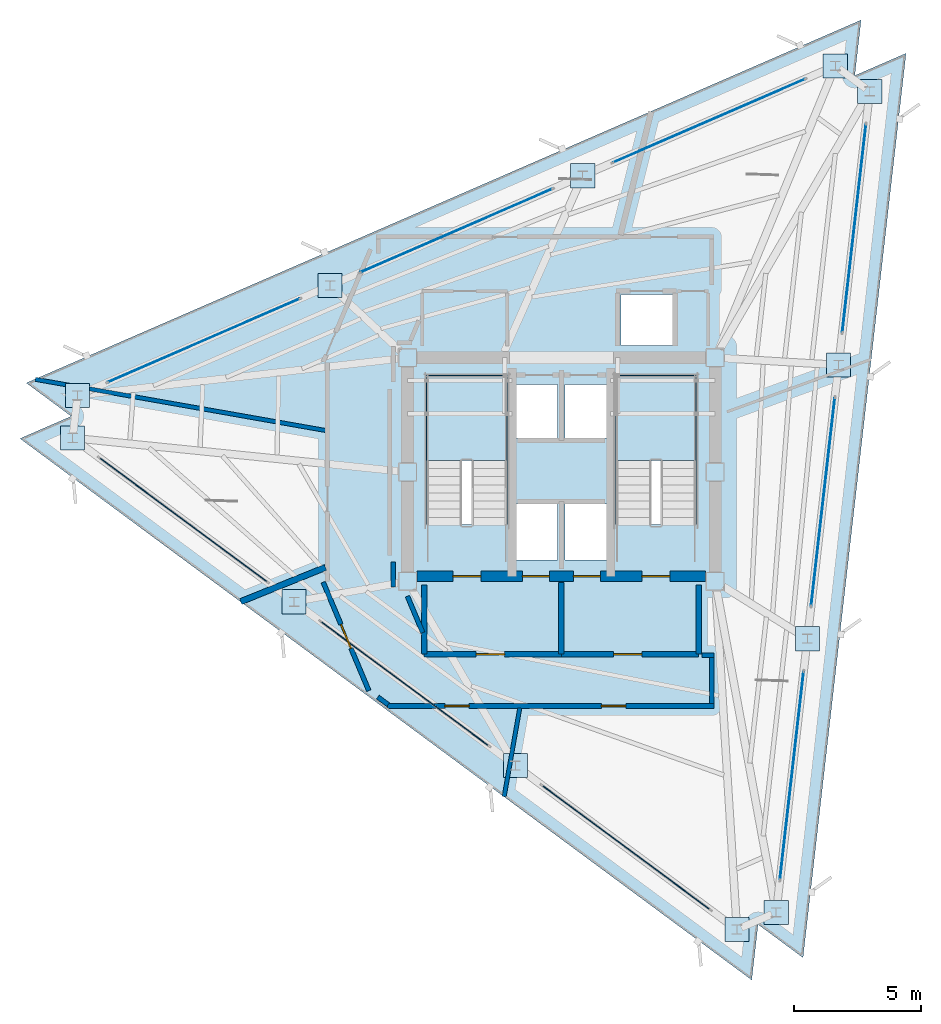
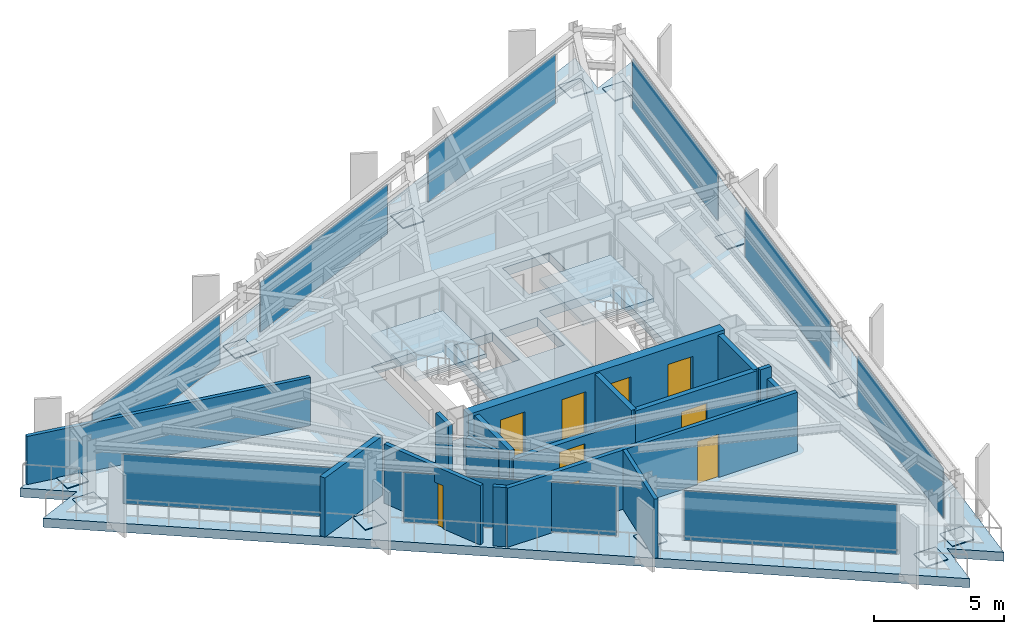
# One storey, part 5 of 10: 21 plates, 16 walls, 9 doors, 3 slabs, 9 openings, 11 elements without a shape of their own.
"""IFC4 building model written with IfcOpenShell, lengths in metres."""

import ifcopenshell
import ifcopenshell.guid

model = None  # the IFC model being written
_history = None  # IfcOwnerHistory: only IFC2X3 demands one
_inside = {}  # id of a spatial element -> (the spatial element, [elements in it])
_under = {}  # id of a project, library or spatial element -> (it, [spatial elements below it])
_declared = {}  # id of a project -> (the project, [libraries it declares])
_typed = {}  # id of a type object -> (the type object, [elements of that type])
_made_of = {}  # id of a material, layer set ... -> (it, [elements and type objects made of it])


def new_model(schema):
    """Start an empty IFC model of exactly this schema.

    Asked for "IFC4X3", IfcOpenShell would pick the latest addendum, in which some entities
    have other attributes; the version numbers below select the first issue.
    IFC2X3 requires an IfcOwnerHistory on every rooted entity: one is made here for all.
    """
    global model, _history
    if schema == "IFC4X3":
        model = ifcopenshell.file(schema_version=(4, 3, 0, 0))
    else:
        model = ifcopenshell.file(schema=schema)
    _inside.clear()
    _under.clear()
    _declared.clear()
    _typed.clear()
    _made_of.clear()
    _history = None
    if model.schema == "IFC2X3":
        org = make("IfcOrganization", Name="unknown")
        user = make(
            "IfcPersonAndOrganization",
            ThePerson=make("IfcPerson", FamilyName="unknown"),
            TheOrganization=org,
        )
        app = make(
            "IfcApplication",
            ApplicationDeveloper=org,
            Version="unknown",
            ApplicationFullName="unknown",
            ApplicationIdentifier="unknown",
        )
        _history = make(
            "IfcOwnerHistory",
            OwningUser=user,
            OwningApplication=app,
            ChangeAction="ADDED",
            CreationDate=0,
        )
    return model


def make(cls, **values):
    """One entity of the class cls with the attributes given. An attribute that is None is left unset."""
    return model.create_entity(
        cls, **{name: value for name, value in values.items() if value is not None}
    )


def rooted(cls, **values):
    """An entity with a GlobalId (a new one), such as an element, a storey or a relation."""
    return make(cls, GlobalId=ifcopenshell.guid.new(), OwnerHistory=_history, **values)


def si_unit(unit_type, name, prefix=None):
    """IfcSIUnit, for example si_unit("LENGTHUNIT", "METRE", prefix="MILLI")."""
    return make("IfcSIUnit", UnitType=unit_type, Prefix=prefix, Name=name)


def assignment(units):
    """IfcUnitAssignment: the units of a project."""
    return None if units is None else make("IfcUnitAssignment", Units=units)


def point(xyz):
    """IfcCartesianPoint."""
    return None if xyz is None else make("IfcCartesianPoint", Coordinates=xyz)


def direction(xyz):
    """IfcDirection."""
    return None if xyz is None else make("IfcDirection", DirectionRatios=xyz)


def frame(location, z_axis=None, x_axis=None):
    """IfcAxis2Placement3D, a coordinate frame: its origin and axes. An axis left out is left unset."""
    return make(
        "IfcAxis2Placement3D",
        Location=point(location),
        Axis=direction(z_axis),
        RefDirection=direction(x_axis),
    )


def frame_2d(location, x_axis=None):
    """IfcAxis2Placement2D, a coordinate frame in the plane: its origin and x axis."""
    return make(
        "IfcAxis2Placement2D", Location=point(location), RefDirection=direction(x_axis)
    )


def origin():
    """The frame at (0, 0, 0) with its axes left unset."""
    return frame((0.0, 0.0, 0.0))


def origin_2d():
    """The frame at (0, 0) in the plane with its x axis left unset."""
    return frame_2d((0.0, 0.0))


def place(relative_to, where):
    """IfcLocalPlacement: puts the frame where relative to a parent placement (None: the world)."""
    return make(
        "IfcLocalPlacement", PlacementRelTo=relative_to, RelativePlacement=where
    )


def context(
    kind, dimensions, precision=None, world=None, true_north=None, identifier=None
):
    """IfcGeometricRepresentationContext, for example the 3D "Model" context."""
    return make(
        "IfcGeometricRepresentationContext",
        ContextIdentifier=identifier,
        ContextType=kind,
        CoordinateSpaceDimension=dimensions,
        Precision=precision,
        WorldCoordinateSystem=world,
        TrueNorth=true_north,
    )


def subcontext(parent, identifier, kind, view, scale=None):
    """IfcGeometricRepresentationSubContext, for example "Body" below "Model"."""
    return make(
        "IfcGeometricRepresentationSubContext",
        ContextIdentifier=identifier,
        ContextType=kind,
        ParentContext=parent,
        TargetScale=scale,
        TargetView=view,
    )


def project(units=None, contexts=None):
    """IfcProject with its units and contexts."""
    return rooted(
        "IfcProject",
        Name="project",
        RepresentationContexts=contexts,
        UnitsInContext=assignment(units),
    )


def spatial(cls, under=None, at=None, **own):
    """A site, building, storey or space (cls), placed at a placement, below another one or the project."""
    s = rooted(cls, ObjectPlacement=at, **own)
    if under is not None:
        _under.setdefault(under.id(), (under, []))[1].append(s)
    return s


def polyline(points):
    """IfcPolyline through the points."""
    return make("IfcPolyline", Points=[point(p) for p in points])


def profile(cls, at=None, kind="AREA", **sizes):
    """A parametric profile (cls). Its sizes go by their IFC names, for example OverallWidth=200.0."""
    return make(cls, ProfileType=kind, Position=at, **sizes)


def rectangle(**sizes):
    """IfcRectangleProfileDef."""
    return profile("IfcRectangleProfileDef", **sizes)


def outline(outer, holes=None, kind="AREA"):
    """IfcArbitraryClosedProfileDef: a profile drawn as a closed curve; with holes, ...WithVoids."""
    if holes is None:
        return make("IfcArbitraryClosedProfileDef", ProfileType=kind, OuterCurve=outer)
    return make(
        "IfcArbitraryProfileDefWithVoids",
        ProfileType=kind,
        OuterCurve=outer,
        InnerCurves=holes,
    )


def extrude(swept, where, along, depth):
    """IfcExtrudedAreaSolid: the profile swept, set in the frame where, extruded along a direction by depth."""
    return make(
        "IfcExtrudedAreaSolid",
        SweptArea=swept,
        Position=where,
        ExtrudedDirection=direction(along),
        Depth=depth,
    )


def shape(context_of_items, identifier, shape_type, items):
    """IfcShapeRepresentation: the items that make up one representation, for example the "Body"."""
    return make(
        "IfcShapeRepresentation",
        ContextOfItems=context_of_items,
        RepresentationIdentifier=identifier,
        RepresentationType=shape_type,
        Items=items,
    )


def material(Name=None, Category=None):
    """IfcMaterial."""
    return make("IfcMaterial", Name=Name, Category=Category)


def layer(
    of_material, thickness, ventilated=None, Name=None, Category=None, Priority=None
):
    """IfcMaterialLayer: one layer of a wall or slab, of a material (None: an air gap)."""
    return make(
        "IfcMaterialLayer",
        Material=of_material,
        LayerThickness=thickness,
        IsVentilated=ventilated,
        Name=Name,
        Category=Category,
        Priority=Priority,
    )


def layer_set(layers, Name=None):
    """IfcMaterialLayerSet."""
    return make("IfcMaterialLayerSet", MaterialLayers=layers, LayerSetName=Name)


def made_of(thing, what):
    """Note that an element or type object is made of a material, layer set ...; save() writes the relation."""
    if what is not None:
        _made_of.setdefault(what.id(), (what, []))[1].append(thing)
    return thing


def type_object(cls, material=None, **own):
    """A type object (cls), such as IfcWallType, which elements share."""
    return made_of(rooted(cls, **own), material)


def element(
    cls,
    number,
    at=None,
    inside=None,
    cuts=None,
    type_object=None,
    material=None,
    context=None,
    identifier="Body",
    shape_type=None,
    held_by="IfcProductDefinitionShape",
    body=None,
    shapes=None,
    **own,
):
    """One element of the class cls, such as IfcWall. Its Tag is "e" and its number.

    at: its placement. inside: the storey or other place that contains it. cuts: it is an
    opening in that element (IfcRelVoidsElement). A single representation is given by context,
    identifier, shape_type and body (its items); several are given by shapes. held_by: the class
    of the entity that holds the representations. save() writes the other relations.
    """
    e = rooted(cls, Tag="e%d" % number, ObjectPlacement=at, **own)
    if body is not None:
        shapes = [shape(context, identifier, shape_type, body)]
    if shapes is not None:
        e.Representation = make(held_by, Representations=shapes)
    if inside is not None:
        _inside.setdefault(inside.id(), (inside, []))[1].append(e)
    if cuts is not None:
        rooted(
            "IfcRelVoidsElement", RelatingBuildingElement=cuts, RelatedOpeningElement=e
        )
    if type_object is not None:
        _typed.setdefault(type_object.id(), (type_object, []))[1].append(e)
    return made_of(e, material)


def fill(opening, filler):
    """IfcRelFillsElement: the door or window that sits in an opening."""
    return rooted(
        "IfcRelFillsElement",
        RelatingOpeningElement=opening,
        RelatedBuildingElement=filler,
    )


def aggregate(whole, parts):
    """IfcRelAggregates: a whole, such as a stair, and the parts it consists of."""
    return rooted("IfcRelAggregates", RelatingObject=whole, RelatedObjects=parts)


def save(model, path):
    """Write the relations noted so far, then the file.

    IfcRelAggregates (storeys below a building ...), IfcRelContainedInSpatialStructure (elements
    in a storey), IfcRelDefinesByType, IfcRelAssociatesMaterial and IfcRelDeclares: one each for
    every whole, place, type object, material and project.
    """
    for whole, parts in _under.values():
        aggregate(whole, parts)
    for where, things in _inside.values():
        rooted(
            "IfcRelContainedInSpatialStructure",
            RelatedElements=things,
            RelatingStructure=where,
        )
    for kind, things in _typed.values():
        rooted("IfcRelDefinesByType", RelatedObjects=things, RelatingType=kind)
    for what, things in _made_of.values():
        rooted("IfcRelAssociatesMaterial", RelatedObjects=things, RelatingMaterial=what)
    for by, libraries in _declared.values():
        rooted("IfcRelDeclares", RelatingContext=by, RelatedDefinitions=libraries)
    model.write(path)


model = new_model("IFC4")

# Units and contexts
model_context = context("Model", 3, precision=1e-05, world=origin(), true_north=direction((0.0, 1.0)))
body_context = subcontext(model_context, "Body", "Model", "MODEL_VIEW")
ifc_project = project(units=[si_unit("LENGTHUNIT", "METRE"), si_unit("AREAUNIT", "SQUARE_METRE"), si_unit("VOLUMEUNIT", "CUBIC_METRE"), si_unit("PLANEANGLEUNIT", "RADIAN"), si_unit("MASSUNIT", "GRAM", prefix="KILO")], contexts=[model_context])

# Site, building, storey
site_placement = place(None, origin())
site = spatial("IfcSite", under=ifc_project, at=site_placement, CompositionType="ELEMENT")
building_placement = place(site_placement, origin())
building = spatial("IfcBuilding", under=site, at=building_placement, Name="Rocaltana Carrier Exchange", CompositionType="ELEMENT")
storey_placement = place(building_placement, frame((0.0, 0.0, 214.8798828125)))
storey = spatial("IfcBuildingStorey", under=building, at=storey_placement, Name="L68", CompositionType="ELEMENT", Elevation=214.8798828125)

# Slab
ifc_material_1 = material(Name="Concrete C60/75", Category="concrete")
ifc_layer_1 = layer(ifc_material_1, 0.419921875)
ifc_layer_set_1 = layer_set([ifc_layer_1], Name="Concrete C60/75")
slab_type_1 = type_object("IfcSlabType", Name="Block Transfer Diaphragm Slab 420", PredefinedType="FLOOR", material=ifc_layer_set_1)
slab_1_placement = place(storey_placement, frame((0.0, 0.0, -0.419921875)))
element("IfcSlab", 1, at=slab_1_placement, inside=storey, type_object=slab_type_1, Name="L68 Structural Floor Slab", PredefinedType="FLOOR", context=body_context, shape_type="SweptSolid", body=[
    extrude(outline(polyline([(7.486328125, -19.975830078125), (7.7353515625, -17.7900390625), (9.50390625, -19.0986328125), (13.556396484375, 16.47119140625), (11.538818359375, 15.593994140625), (11.7880859375, 17.77978515625), (-21.042724609375, 3.504638671875), (-19.2744140625, 2.196044921875), (-21.291748046875, 1.31884765625), (7.486328125, -19.975830078125)]), holes=[polyline([(-5.300048828125, -2.06005859375), (-2.139892578125, -2.06005859375), (-2.139892578125, 3.800048828125), (-5.300048828125, 3.800048828125), (-5.300048828125, -2.06005859375)]), polyline([(2.139892578125, -2.06005859375), (5.300048828125, -2.06005859375), (5.300048828125, 3.800048828125), (2.139892578125, 3.800048828125), (2.139892578125, -2.06005859375)]), polyline([(-1.85009765625, -3.449951171875), (-0.14990234375, -3.449951171875), (-0.14990234375, -1.25), (-1.85009765625, -1.25), (-1.85009765625, -3.449951171875)]), polyline([(0.14990234375, -3.449951171875), (1.85009765625, -3.449951171875), (1.85009765625, -1.25), (0.14990234375, -1.25), (0.14990234375, -3.449951171875)]), polyline([(2.35009765625, 4.97998046875), (4.39990234375, 4.97998046875), (4.39990234375, 6.97998046875), (2.35009765625, 6.97998046875), (2.35009765625, 4.97998046875)]), polyline([(-1.85009765625, 1.35009765625), (-0.14990234375, 1.35009765625), (-0.14990234375, 3.449951171875), (-1.85009765625, 3.449951171875), (-1.85009765625, 1.35009765625)]), polyline([(0.14990234375, 1.35009765625), (1.85009765625, 1.35009765625), (1.85009765625, 3.449951171875), (0.14990234375, 3.449951171875), (0.14990234375, 1.35009765625)])]), origin(), (0.0, 0.0, 1.0), 0.419921875),
])

# Curtain wall, plate
ifc_material_2 = material(Name="Aluminium 6063-T6", Category="aluminium")
ifc_layer_2 = layer(ifc_material_2, 0.1201171875)
ifc_layer_set_2 = layer_set([ifc_layer_2], Name="Aluminium 6063-T6")
curtain_wall_type = type_object("IfcCurtainWallType", Name="High-Altitude Thermal Curtain Wall CW-05", PredefinedType="NOTDEFINED", material=ifc_layer_set_2)
curtain_wall_1_placement = place(storey_placement, origin())
curtain_wall_1 = element("IfcCurtainWall", 2, at=curtain_wall_1_placement, inside=storey, type_object=curtain_wall_type, Name="L68 CW-05 Run CW-L68-F1S1", PredefinedType="NOTDEFINED")
ifc_material_3 = material(Name="Tempered Laminated Glass", Category="glass")
ifc_layer_3 = layer(ifc_material_3, 0.035888671875)
ifc_layer_set_3 = layer_set([ifc_layer_3], Name="Tempered Laminated Glass")
plate_type_1 = type_object("IfcPlateType", Name="CW-05 Stone-Insulated Vision Panel", PredefinedType="CURTAIN_PANEL", material=ifc_layer_set_3)
plate_1_placement = place(storey_placement, frame((9.061767578125, -11.935791015625, 0.06005859375), z_axis=(0.0, 0.0, 1.0), x_axis=(0.113208822277, 0.993571216652, 0.0)))
plate_1 = element("IfcPlate", 3, at=plate_1_placement, type_object=plate_type_1, Name="CW-05 panel 1.1", PredefinedType="CURTAIN_PANEL", context=body_context, shape_type="SweptSolid", body=[
    extrude(rectangle(XDim=8.21337890625, YDim=0.035888671875, at=origin_2d()), origin(), (0.0, 0.0, 1.0), 2.327880859375),
])
aggregate(curtain_wall_1, [plate_1])

curtain_wall_2_placement = place(storey_placement, origin())
curtain_wall_2 = element("IfcCurtainWall", 4, at=curtain_wall_2_placement, inside=storey, type_object=curtain_wall_type, Name="L68 CW-05 Run CW-L68-F1S2", PredefinedType="NOTDEFINED")
plate_2_placement = place(storey_placement, frame((10.2880859375, -1.172119140625, 0.06005859375), z_axis=(0.0, 0.0, 1.0), x_axis=(0.113208822277, 0.993571216652, 0.0)))
plate_2 = element("IfcPlate", 5, at=plate_2_placement, type_object=plate_type_1, Name="CW-05 panel 1.1", PredefinedType="CURTAIN_PANEL", context=body_context, shape_type="SweptSolid", body=[
    extrude(rectangle(XDim=8.21337890625, YDim=0.035888671875, at=origin_2d()), origin(), (0.0, 0.0, 1.0), 2.327880859375),
])
aggregate(curtain_wall_2, [plate_2])

curtain_wall_3_placement = place(storey_placement, origin())
curtain_wall_3 = element("IfcCurtainWall", 6, at=curtain_wall_3_placement, inside=storey, type_object=curtain_wall_type, Name="L68 CW-05 Run CW-L68-F1S3", PredefinedType="NOTDEFINED")
plate_3_placement = place(storey_placement, frame((11.5146484375, 9.591552734375, 0.06005859375), z_axis=(0.0, 0.0, 1.0), x_axis=(0.113196975964, 0.993572566365, 0.0)))
plate_3 = element("IfcPlate", 7, at=plate_3_placement, type_object=plate_type_1, Name="CW-05 panel 1.1", PredefinedType="CURTAIN_PANEL", context=body_context, shape_type="SweptSolid", body=[
    extrude(rectangle(XDim=8.21337890625, YDim=0.035888671875, at=origin_2d()), origin(), (0.0, 0.0, 1.0), 2.327880859375),
])
aggregate(curtain_wall_3, [plate_3])

curtain_wall_4_placement = place(storey_placement, origin())
curtain_wall_4 = element("IfcCurtainWall", 8, at=curtain_wall_4_placement, inside=storey, type_object=curtain_wall_type, Name="L68 CW-05 Run CW-L68-F2S1", PredefinedType="NOTDEFINED")
plate_4_placement = place(storey_placement, frame((5.805908203125, 13.815673828125, 0.06005859375), z_axis=(0.0, 0.0, 1.0), x_axis=(-0.917056701313, -0.39875682637, 0.0)))
plate_4 = element("IfcPlate", 9, at=plate_4_placement, type_object=plate_type_1, Name="CW-05 panel 1.1", PredefinedType="CURTAIN_PANEL", context=body_context, shape_type="SweptSolid", body=[
    extrude(rectangle(XDim=8.21337890625, YDim=0.035888671875, at=origin_2d()), origin(), (0.0, 0.0, 1.0), 2.327880859375),
])
aggregate(curtain_wall_4, [plate_4])

curtain_wall_5_placement = place(storey_placement, origin())
curtain_wall_5 = element("IfcCurtainWall", 10, at=curtain_wall_5_placement, inside=storey, type_object=curtain_wall_type, Name="L68 CW-05 Run CW-L68-F2S2", PredefinedType="NOTDEFINED")
plate_5_placement = place(storey_placement, frame((-4.12890625, 9.495849609375, 0.06005859375), z_axis=(0.0, 0.0, 1.0), x_axis=(-0.917058609352, -0.398752438254, 0.0)))
plate_5 = element("IfcPlate", 11, at=plate_5_placement, type_object=plate_type_1, Name="CW-05 panel 1.1", PredefinedType="CURTAIN_PANEL", context=body_context, shape_type="SweptSolid", body=[
    extrude(rectangle(XDim=8.21337890625, YDim=0.035888671875, at=origin_2d()), origin(), (0.0, 0.0, 1.0), 2.327880859375),
])
aggregate(curtain_wall_5, [plate_5])

curtain_wall_6_placement = place(storey_placement, origin())
curtain_wall_6 = element("IfcCurtainWall", 12, at=curtain_wall_6_placement, inside=storey, type_object=curtain_wall_type, Name="L68 CW-05 Run CW-L68-F2S3", PredefinedType="NOTDEFINED")
plate_6_placement = place(storey_placement, frame((-14.063720703125, 5.176025390625, 0.06005859375), z_axis=(0.0, 0.0, 1.0), x_axis=(-0.917056701313, -0.39875682637, 0.0)))
plate_6 = element("IfcPlate", 13, at=plate_6_placement, type_object=plate_type_1, Name="CW-05 panel 1.1", PredefinedType="CURTAIN_PANEL", context=body_context, shape_type="SweptSolid", body=[
    extrude(rectangle(XDim=8.21337890625, YDim=0.035888671875, at=origin_2d()), origin(), (0.0, 0.0, 1.0), 2.327880859375),
])
aggregate(curtain_wall_6, [plate_6])

curtain_wall_7_placement = place(storey_placement, origin())
curtain_wall_7 = element("IfcCurtainWall", 14, at=curtain_wall_7_placement, inside=storey, type_object=curtain_wall_type, Name="L68 CW-05 Run CW-L68-F3S1", PredefinedType="NOTDEFINED")
plate_7_placement = place(storey_placement, frame((-14.86767578125, -1.8798828125, 0.06005859375), z_axis=(0.0, 0.0, 1.0), x_axis=(0.803854063386, -0.594826566974, 0.0)))
plate_7 = element("IfcPlate", 15, at=plate_7_placement, type_object=plate_type_1, Name="CW-05 panel 1.1", PredefinedType="CURTAIN_PANEL", context=body_context, shape_type="SweptSolid", body=[
    extrude(rectangle(XDim=8.21337890625, YDim=0.035888671875, at=origin_2d()), origin(), (0.0, 0.0, 1.0), 2.327880859375),
])
aggregate(curtain_wall_7, [plate_7])

curtain_wall_8_placement = place(storey_placement, origin())
curtain_wall_8 = element("IfcCurtainWall", 16, at=curtain_wall_8_placement, inside=storey, type_object=curtain_wall_type, Name="L68 CW-05 Run CW-L68-F3S2", PredefinedType="NOTDEFINED")
plate_8_placement = place(storey_placement, frame((-6.1591796875, -8.32373046875, 0.06005859375), z_axis=(0.0, 0.0, 1.0), x_axis=(0.803858309141, -0.594820829179, 0.0)))
plate_8 = element("IfcPlate", 17, at=plate_8_placement, type_object=plate_type_1, Name="CW-05 panel 1.1", PredefinedType="CURTAIN_PANEL", context=body_context, shape_type="SweptSolid", body=[
    extrude(rectangle(XDim=8.21337890625, YDim=0.035888671875, at=origin_2d()), origin(), (0.0, 0.0, 1.0), 2.327880859375),
])
aggregate(curtain_wall_8, [plate_8])

curtain_wall_9_placement = place(storey_placement, origin())
curtain_wall_9 = element("IfcCurtainWall", 18, at=curtain_wall_9_placement, inside=storey, type_object=curtain_wall_type, Name="L68 CW-05 Run CW-L68-F3S3", PredefinedType="NOTDEFINED")
plate_9_placement = place(storey_placement, frame((2.54931640625, -14.767578125, 0.06005859375), z_axis=(0.0, 0.0, 1.0), x_axis=(0.803854063386, -0.594826566974, 0.0)))
plate_9 = element("IfcPlate", 19, at=plate_9_placement, type_object=plate_type_1, Name="CW-05 panel 1.1", PredefinedType="CURTAIN_PANEL", context=body_context, shape_type="SweptSolid", body=[
    extrude(rectangle(XDim=8.21337890625, YDim=0.035888671875, at=origin_2d()), origin(), (0.0, 0.0, 1.0), 2.327880859375),
])
aggregate(curtain_wall_9, [plate_9])

# Plates
ifc_material_4 = material(Name="Steel S460", Category="steel")
ifc_layer_4 = layer(ifc_material_4, 0.0400390625)
ifc_layer_set_4 = layer_set([ifc_layer_4], Name="Steel S460")
plate_type_2 = type_object("IfcPlateType", Name="Column Base Bearing Plate 950x950x40", PredefinedType="SHEET", material=ifc_layer_set_4)
for number, where, z_axis, x_axis, name in (
    (20, (8.448486328125, -17.317626953125, 0.0), (0.0, 0.0, 1.0), (1.0, 0.0, 0.0), "L68 Block Transfer Bearing Plate TC01"),
    (21, (9.675048828125, -6.553955078125, 0.0), (0.0, 0.0, 1.0), (1.0, 0.0, 0.0), "L68 Block Transfer Bearing Plate TC02"),
    (22, (10.9013671875, 4.209716796875, 0.0), (0.0, 0.0, 1.0), (1.0, 0.0, 0.0), "L68 Block Transfer Bearing Plate TC03"),
    (23, (12.127685546875, 14.973388671875, 0.0), (0.0, 0.0, 1.0), (1.0, 0.0, 0.0), "L68 Block Transfer Bearing Plate TC04"),
    (24, (10.773193359375, 15.9755859375, 0.0), (0.0, 0.0, 1.0), (1.0, 0.0, 0.0), "L68 Block Transfer Bearing Plate TC05"),
    (25, (0.83837890625, 11.65576171875, 0.0), (0.0, 0.0, 1.0), (1.0, 0.0, 0.0), "L68 Block Transfer Bearing Plate TC06"),
    (26, (-9.096435546875, 7.3359375, 0.0), (0.0, 0.0, 1.0), (1.0, 0.0, 0.0), "L68 Block Transfer Bearing Plate TC07"),
    (27, (-19.03125, 3.01611328125, 0.0), (0.0, 0.0, 1.0), (1.0, 0.0, 0.0), "L68 Block Transfer Bearing Plate TC08"),
    (28, (-19.221923828125, 1.342041015625, 0.0), (0.0, 0.0, 1.0), (1.0, 0.0, 0.0), "L68 Block Transfer Bearing Plate TC09"),
    (29, (-10.513427734375, -5.101806640625, 0.0), (0.0, 0.0, 1.0), (1.0, 0.0, 0.0), "L68 Block Transfer Bearing Plate TC10"),
    (30, (-1.804931640625, -11.545654296875, 0.0), (0.0, 0.0, 1.0), (1.0, 0.0, 0.0), "L68 Block Transfer Bearing Plate TC11"),
    (31, (6.9033203125, -17.989501953125, 0.0), (0.0, 0.0, 1.0), (1.0, 0.0, 0.0), "L68 Block Transfer Bearing Plate TC12"),
):
    element("IfcPlate", number, at=place(storey_placement, frame(where, z_axis=z_axis, x_axis=x_axis)), inside=storey, type_object=plate_type_2, Name=name, PredefinedType="SHEET", context=body_context, shape_type="SweptSolid", body=[
        extrude(rectangle(XDim=0.949951171875, YDim=0.949951171875, at=origin_2d()), origin(), (0.0, 0.0, 1.0), 0.0400390625),
    ])

# Stair, slab
ifc_material_5 = material(Name="Precast concrete C45/55", Category="concrete")
stair_type = type_object("IfcStairType", Name="Standard Dog-Leg Stair 160", PredefinedType="HALF_TURN_STAIR", material=ifc_material_5)
stair_1_placement = place(storey_placement, origin())
stair_1 = element("IfcStair", 32, at=stair_1_placement, inside=storey, type_object=stair_type, Name="L68 Core West Exit Stair ST-1", PredefinedType="HALF_TURN_STAIR")
ifc_material_6 = material(Name="Precast concrete C45/55", Category="concrete")
ifc_layer_5 = layer(ifc_material_6, 0.199951171875)
ifc_layer_set_5 = layer_set([ifc_layer_5], Name="Precast concrete C45/55")
slab_type_2 = type_object("IfcSlabType", Name="Precast Stair Half-Landing 200", PredefinedType="LANDING", material=ifc_layer_set_5)
slab_2_placement = place(storey_placement, frame((0.0, 0.0, 1.320068359375)))
slab_2 = element("IfcSlab", 33, at=slab_2_placement, type_object=slab_type_2, Name="ST-1 landing 1", PredefinedType="LANDING", context=body_context, shape_type="SweptSolid", body=[
    extrude(outline(polyline([(-2.139892578125, 0.4599609375), (-2.139892578125, 3.800048828125), (-5.300048828125, 3.800048828125), (-5.300048828125, 0.4599609375), (-2.139892578125, 0.4599609375)])), origin(), (0.0, 0.0, 1.0), 0.199951171875),
])
aggregate(stair_1, [slab_2])

stair_2_placement = place(storey_placement, origin())
stair_2 = element("IfcStair", 34, at=stair_2_placement, inside=storey, type_object=stair_type, Name="L68 Core East Exit Stair ST-2", PredefinedType="HALF_TURN_STAIR")
slab_3_placement = place(storey_placement, frame((0.0, 0.0, 1.320068359375)))
slab_3 = element("IfcSlab", 35, at=slab_3_placement, type_object=slab_type_2, Name="ST-2 landing 1", PredefinedType="LANDING", context=body_context, shape_type="SweptSolid", body=[
    extrude(outline(polyline([(5.300048828125, 0.4599609375), (5.300048828125, 3.800048828125), (2.139892578125, 3.800048828125), (2.139892578125, 0.4599609375), (5.300048828125, 0.4599609375)])), origin(), (0.0, 0.0, 1.0), 0.199951171875),
])
aggregate(stair_2, [slab_3])

# Walls
ifc_material_7 = material(Name="Double Acoustic Gypsum Partition", Category="gypsum")
ifc_layer_6 = layer(ifc_material_7, 0.159912109375)
ifc_layer_set_6 = layer_set([ifc_layer_6], Name="Double Acoustic Gypsum Partition")
wall_type_1 = type_object("IfcWallType", Name="Acoustic Studio Partition 160 EI60", PredefinedType="PARTITIONING", material=ifc_layer_set_6)
wall_1_placement = place(storey_placement, frame((-1.63623046875, -9.280029296875, 0.0), z_axis=(0.0, 0.0, 1.0), x_axis=(-0.17367100135, -0.984803728308, 0.0)))
element("IfcWall", 36, at=wall_1_placement, inside=storey, type_object=wall_type_1, Name="L68 Suite Divider Wall D2", PredefinedType="PARTITIONING", context=body_context, shape_type="SweptSolid", body=[
    extrude(rectangle(XDim=3.53271484375, YDim=0.159912109375, at=frame_2d((1.766357421875, 0.0))), origin(), (0.0, 0.0, 1.0), 2.773193359375),
])
wall_2_placement = place(storey_placement, frame((-9.280029296875, 1.63623046875, 0.0), z_axis=(0.0, 0.0, 1.0), x_axis=(-0.984805616272, 0.173660295285, 0.0)))
element("IfcWall", 37, at=wall_2_placement, inside=storey, type_object=wall_type_1, Name="L68 Suite Divider Wall D5", PredefinedType="PARTITIONING", context=body_context, shape_type="SweptSolid", body=[
    extrude(rectangle(XDim=11.584228515625, YDim=0.159912109375, at=frame_2d((5.7919921875, 0.0))), origin(), (0.0, 0.0, 1.0), 2.253173828125),
])

# Wall, openings, doors
ifc_material_8 = material(Name="Concrete C50/60", Category="concrete")
ifc_layer_7 = layer(ifc_material_8, 0.39990234375)
ifc_layer_set_7 = layer_set([ifc_layer_7], Name="Concrete C50/60")
wall_type_2 = type_object("IfcWallType", Name="Core Internal Shear Wall 400", PredefinedType="SHEAR", material=ifc_layer_set_7)
wall_3_placement = place(storey_placement, frame((-5.675048828125, -4.10009765625, 0.0), z_axis=(0.0, 0.0, 1.0), x_axis=(1.0, 0.0, 0.0)))
wall_3 = element("IfcWall", 38, at=wall_3_placement, inside=storey, type_object=wall_type_2, Name="L68 Core Shear Wall CW-S", PredefinedType="SHEAR", context=body_context, shape_type="SweptSolid", body=[
    extrude(rectangle(XDim=11.35009765625, YDim=0.39990234375, at=frame_2d((5.675048828125, 0.0))), origin(), (0.0, 0.0, 1.0), 2.798095703125),
])
opening_1_placement = place(wall_3_placement, frame((1.405029296875, 0.0, 0.0)))
opening_1 = element("IfcOpeningElement", 39, at=opening_1_placement, cuts=wall_3, Name="Opening D-ST110", PredefinedType="OPENING", context=body_context, shape_type="SweptSolid", body=[
    extrude(rectangle(XDim=1.10009765625, YDim=2.0400390625, at=frame_2d((0.550048828125, 1.02001953125))), frame((0.0, 0.2099609375, 0.0), z_axis=(0.0, -1.0, 0.0), x_axis=(1.0, 0.0, 0.0)), (0.0, 0.0, 1.0), 0.419921875),
])
opening_2_placement = place(wall_3_placement, frame((8.844970703125, 0.0, 0.0)))
opening_2 = element("IfcOpeningElement", 40, at=opening_2_placement, cuts=wall_3, Name="Opening D-ST110", PredefinedType="OPENING", context=body_context, shape_type="SweptSolid", body=[
    extrude(rectangle(XDim=1.10009765625, YDim=2.0400390625, at=frame_2d((0.550048828125, 1.02001953125))), frame((0.0, 0.2099609375, 0.0), z_axis=(0.0, -1.0, 0.0), x_axis=(1.0, 0.0, 0.0)), (0.0, 0.0, 1.0), 0.419921875),
])
opening_3_placement = place(wall_3_placement, frame((4.14501953125, 0.0, 0.0)))
opening_3 = element("IfcOpeningElement", 41, at=opening_3_placement, cuts=wall_3, Name="Opening LD-110", PredefinedType="OPENING", context=body_context, shape_type="SweptSolid", body=[
    extrude(rectangle(XDim=1.06005859375, YDim=2.0400390625, at=frame_2d((0.530029296875, 1.02001953125))), frame((0.0, 0.2099609375, 0.0), z_axis=(0.0, -1.0, 0.0), x_axis=(1.0, 0.0, 0.0)), (0.0, 0.0, 1.0), 0.419921875),
])
opening_4_placement = place(wall_3_placement, frame((6.14501953125, 0.0, 0.0)))
opening_4 = element("IfcOpeningElement", 42, at=opening_4_placement, cuts=wall_3, Name="Opening LD-110", PredefinedType="OPENING", context=body_context, shape_type="SweptSolid", body=[
    extrude(rectangle(XDim=1.06005859375, YDim=2.0400390625, at=frame_2d((0.530029296875, 1.02001953125))), frame((0.0, 0.2099609375, 0.0), z_axis=(0.0, -1.0, 0.0), x_axis=(1.0, 0.0, 0.0)), (0.0, 0.0, 1.0), 0.419921875),
])
ifc_material_9 = material(Name="Hollow Metal Fire Door Assembly", Category="steel")
door_type_1 = type_object("IfcDoorType", Name="Exit Stair Fire Door 1100x2040 FD90S", OperationType="NOTDEFINED", PredefinedType="DOOR", material=ifc_material_9)
door_1_placement = place(opening_1_placement, origin())
door_1 = element("IfcDoor", 43, at=door_1_placement, inside=storey, type_object=door_type_1, Name="L68 Exit Stair ST1 Fire Door", OperationType="SINGLE_SWING_LEFT", OverallHeight=2.0400390625, OverallWidth=1.10009765625, PredefinedType="DOOR", context=body_context, shape_type="SweptSolid", body=[
    extrude(rectangle(XDim=1.10009765625, YDim=2.0400390625, at=frame_2d((0.550048828125, 1.02001953125))), frame((0.0, 0.02490234375, 0.0), z_axis=(0.0, -1.0, 0.0), x_axis=(1.0, 0.0, 0.0)), (0.0, 0.0, 1.0), 0.050048828125),
])
fill(opening_1, door_1)
door_2_placement = place(opening_2_placement, origin())
door_2 = element("IfcDoor", 44, at=door_2_placement, inside=storey, type_object=door_type_1, Name="L68 Exit Stair ST2 Fire Door", OperationType="SINGLE_SWING_RIGHT", OverallHeight=2.0400390625, OverallWidth=1.10009765625, PredefinedType="DOOR", context=body_context, shape_type="SweptSolid", body=[
    extrude(rectangle(XDim=1.10009765625, YDim=2.0400390625, at=frame_2d((0.550048828125, 1.02001953125))), frame((0.0, 0.02490234375, 0.0), z_axis=(0.0, -1.0, 0.0), x_axis=(1.0, 0.0, 0.0)), (0.0, 0.0, 1.0), 0.050048828125),
])
fill(opening_2, door_2)
ifc_material_10 = material(Name="Brushed Stainless Sliding Door Leaf", Category="steel")
door_type_2 = type_object("IfcDoorType", Name="Lift Landing Sliding Door 1060x2040", OperationType="NOTDEFINED", PredefinedType="DOOR", material=ifc_material_10)
door_3_placement = place(opening_3_placement, origin())
door_3 = element("IfcDoor", 45, at=door_3_placement, inside=storey, type_object=door_type_2, Name="L68 Firefighting Lift FFL1 Landing Door", OperationType="SLIDING_TO_LEFT", OverallHeight=2.0400390625, OverallWidth=1.06005859375, PredefinedType="DOOR", context=body_context, shape_type="SweptSolid", body=[
    extrude(rectangle(XDim=1.06005859375, YDim=2.0400390625, at=frame_2d((0.530029296875, 1.02001953125))), frame((0.0, 0.02490234375, 0.0), z_axis=(0.0, -1.0, 0.0), x_axis=(1.0, 0.0, 0.0)), (0.0, 0.0, 1.0), 0.050048828125),
])
fill(opening_3, door_3)
door_4_placement = place(opening_4_placement, origin())
door_4 = element("IfcDoor", 46, at=door_4_placement, inside=storey, type_object=door_type_2, Name="L68 Firefighting Lift FFL2 Landing Door", OperationType="SLIDING_TO_RIGHT", OverallHeight=2.0400390625, OverallWidth=1.06005859375, PredefinedType="DOOR", context=body_context, shape_type="SweptSolid", body=[
    extrude(rectangle(XDim=1.06005859375, YDim=2.0400390625, at=frame_2d((0.530029296875, 1.02001953125))), frame((0.0, 0.02490234375, 0.0), z_axis=(0.0, -1.0, 0.0), x_axis=(1.0, 0.0, 0.0)), (0.0, 0.0, 1.0), 0.050048828125),
])
fill(opening_4, door_4)

# Wall, opening, door
ifc_material_11 = material(Name="Gypsum & Steel Stud Partition", Category="steel")
ifc_layer_8 = layer(ifc_material_11, 0.179931640625)
ifc_layer_set_8 = layer_set([ifc_layer_8], Name="Gypsum & Steel Stud Partition")
wall_type_3 = type_object("IfcWallType", Name="Corridor Fire Partition 180 EI60", PredefinedType="PARTITIONING", material=ifc_layer_set_8)
wall_4_placement = place(storey_placement, frame((-7.573974609375, -8.595703125, 0.0), z_axis=(0.0, 0.0, 1.0), x_axis=(-0.38757793583, 0.921836939842, 0.0)))
wall_4 = element("IfcWall", 47, at=wall_4_placement, inside=storey, type_object=wall_type_3, Name="L68 Corridor Partition 1", PredefinedType="PARTITIONING", context=body_context, shape_type="SweptSolid", body=[
    extrude(rectangle(XDim=4.62548828125, YDim=0.179931640625, at=frame_2d((2.312744140625, 0.0))), origin(), (0.0, 0.0, 1.0), 2.773193359375),
])
opening_5_placement = place(wall_4_placement, frame((1.802734375, 0.0, 0.0)))
opening_5 = element("IfcOpeningElement", 48, at=opening_5_placement, cuts=wall_4, Name="Opening D-LB104", PredefinedType="OPENING", context=body_context, shape_type="SweptSolid", body=[
    extrude(rectangle(XDim=1.02001953125, YDim=2.02001953125, at=frame_2d((0.510009765625, 1.010009765625))), frame((0.0, 0.099853515625, 0.0), z_axis=(0.0, -1.0, 0.0), x_axis=(1.0, 0.0, 0.0)), (0.0, 0.0, 1.0), 0.199951171875),
])
ifc_material_12 = material(Name="Powder-Coated Aluminium 6063-T6", Category="aluminium")
door_type_3 = type_object("IfcDoorType", Name="Laboratory Acoustic Door 1020x2020", OperationType="NOTDEFINED", PredefinedType="DOOR", material=ifc_material_12)
door_5_placement = place(opening_5_placement, origin())
door_5 = element("IfcDoor", 49, at=door_5_placement, inside=storey, type_object=door_type_3, Name="L68 Photonic Integration Workshop Entrance Door", OperationType="SINGLE_SWING_RIGHT", OverallHeight=2.02001953125, OverallWidth=1.02001953125, PredefinedType="DOOR", context=body_context, shape_type="SweptSolid", body=[
    extrude(rectangle(XDim=1.02001953125, YDim=2.02001953125, at=frame_2d((0.510009765625, 1.010009765625))), frame((0.0, 0.02490234375, 0.0), z_axis=(0.0, -1.0, 0.0), x_axis=(1.0, 0.0, 0.0)), (0.0, 0.0, 1.0), 0.050048828125),
])
fill(opening_5, door_5)

# Walls
wall_5_placement = place(storey_placement, frame((-6.610107421875, -3.541259765625, 0.0), z_axis=(0.0, 0.0, 1.0), x_axis=(0.0, -1.0, 0.0)))
element("IfcWall", 50, at=wall_5_placement, inside=storey, type_object=wall_type_3, Name="L68 Corridor Partition 12", PredefinedType="PARTITIONING", context=body_context, shape_type="SweptSolid", body=[
    extrude(rectangle(XDim=0.978759765625, YDim=0.179931640625, at=frame_2d((0.4892578125, 0.0))), origin(), (0.0, 0.0, 1.0), 2.773193359375),
])
wall_6_placement = place(storey_placement, frame((-6.0546875, -4.881591796875, 0.0), z_axis=(0.0, 0.0, 1.0), x_axis=(0.387579540458, -0.921836265189, 0.0)))
element("IfcWall", 51, at=wall_6_placement, inside=storey, type_object=wall_type_3, Name="L68 Corridor Partition 13", PredefinedType="PARTITIONING", context=body_context, shape_type="SweptSolid", body=[
    extrude(rectangle(XDim=1.5546875, YDim=0.179931640625, at=frame_2d((0.77734375, 0.0))), origin(), (0.0, 0.0, 1.0), 2.253173828125),
])
wall_7_placement = place(storey_placement, frame((5.530029296875, -7.199951171875, 0.0), z_axis=(0.0, 0.0, 1.0), x_axis=(1.0, 0.0, 0.0)))
element("IfcWall", 52, at=wall_7_placement, inside=storey, type_object=wall_type_3, Name="L68 Corridor Partition 14", PredefinedType="PARTITIONING", context=body_context, shape_type="SweptSolid", body=[
    extrude(rectangle(XDim=0.47998046875, YDim=0.179931640625, at=frame_2d((0.239990234375, 0.0))), origin(), (0.0, 0.0, 1.0), 2.773193359375),
])
wall_8_placement = place(storey_placement, frame((5.919921875, -7.2900390625, 0.0), z_axis=(0.0, 0.0, 1.0), x_axis=(0.0, -1.0, 0.0)))
element("IfcWall", 53, at=wall_8_placement, inside=storey, type_object=wall_type_3, Name="L68 Corridor Partition 15", PredefinedType="PARTITIONING", context=body_context, shape_type="SweptSolid", body=[
    extrude(rectangle(XDim=1.820068359375, YDim=0.179931640625, at=frame_2d((0.91015625, 0.0))), origin(), (0.0, 0.0, 1.0), 2.253173828125),
])

# Wall, openings, doors
wall_9_placement = place(storey_placement, frame((6.010009765625, -9.199951171875, 0.0), z_axis=(0.0, 0.0, 1.0), x_axis=(-1.0, 0.0, 0.0)))
wall_9 = element("IfcWall", 54, at=wall_9_placement, inside=storey, type_object=wall_type_3, Name="L68 Corridor Partition 16", PredefinedType="PARTITIONING", context=body_context, shape_type="SweptSolid", body=[
    extrude(rectangle(XDim=12.840087890625, YDim=0.179931640625, at=frame_2d((6.419921875, 0.0))), origin(), (0.0, 0.0, 1.0), 2.773193359375),
])
opening_6_placement = place(wall_9_placement, frame((9.633544921875, 0.0, 0.0)))
opening_6 = element("IfcOpeningElement", 55, at=opening_6_placement, cuts=wall_9, Name="Opening D-RM098", PredefinedType="OPENING", context=body_context, shape_type="SweptSolid", body=[
    extrude(rectangle(XDim=0.9599609375, YDim=2.02001953125, at=frame_2d((0.47998046875, 1.010009765625))), frame((0.0, 0.099853515625, 0.0), z_axis=(0.0, -1.0, 0.0), x_axis=(1.0, 0.0, 0.0)), (0.0, 0.0, 1.0), 0.199951171875),
])
opening_7_placement = place(wall_9_placement, frame((3.47265625, 0.0, 0.0)))
opening_7 = element("IfcOpeningElement", 56, at=opening_7_placement, cuts=wall_9, Name="Opening D-RM098", PredefinedType="OPENING", context=body_context, shape_type="SweptSolid", body=[
    extrude(rectangle(XDim=0.9599609375, YDim=2.02001953125, at=frame_2d((0.47998046875, 1.010009765625))), frame((0.0, 0.099853515625, 0.0), z_axis=(0.0, -1.0, 0.0), x_axis=(1.0, 0.0, 0.0)), (0.0, 0.0, 1.0), 0.199951171875),
])
ifc_material_13 = material(Name="Engineered Hardwood Timber", Category="wood")
door_type_4 = type_object("IfcDoorType", Name="Workspace Single Door 960x2020", OperationType="NOTDEFINED", PredefinedType="DOOR", material=ifc_material_13)
door_6_placement = place(opening_6_placement, origin())
door_6 = element("IfcDoor", 57, at=door_6_placement, inside=storey, type_object=door_type_4, Name="L68 Network Engineering Studio Entrance Door", OperationType="SINGLE_SWING_LEFT", OverallHeight=2.02001953125, OverallWidth=0.9599609375, PredefinedType="DOOR", context=body_context, shape_type="SweptSolid", body=[
    extrude(rectangle(XDim=0.9599609375, YDim=2.02001953125, at=frame_2d((0.47998046875, 1.010009765625))), frame((0.0, 0.02490234375, 0.0), z_axis=(0.0, -1.0, 0.0), x_axis=(1.0, 0.0, 0.0)), (0.0, 0.0, 1.0), 0.050048828125),
])
fill(opening_6, door_6)
door_7_placement = place(opening_7_placement, origin())
door_7 = element("IfcDoor", 58, at=door_7_placement, inside=storey, type_object=door_type_4, Name="L68 Peering Conference Room Entrance Door", OperationType="SINGLE_SWING_RIGHT", OverallHeight=2.02001953125, OverallWidth=0.9599609375, PredefinedType="DOOR", context=body_context, shape_type="SweptSolid", body=[
    extrude(rectangle(XDim=0.9599609375, YDim=2.02001953125, at=frame_2d((0.47998046875, 1.010009765625))), frame((0.0, 0.02490234375, 0.0), z_axis=(0.0, -1.0, 0.0), x_axis=(1.0, 0.0, 0.0)), (0.0, 0.0, 1.0), 0.050048828125),
])
fill(opening_7, door_7)

# Walls
wall_10_placement = place(storey_placement, frame((-6.8125, -9.146484375, 0.0), z_axis=(0.0, 0.0, 1.0), x_axis=(-0.803893055119, 0.594773869577, 0.0)))
element("IfcWall", 59, at=wall_10_placement, inside=storey, type_object=wall_type_3, Name="L68 Corridor Partition 17", PredefinedType="PARTITIONING", context=body_context, shape_type="SweptSolid", body=[
    extrude(rectangle(XDim=0.501953125, YDim=0.179931640625, at=frame_2d((0.2509765625, 0.0))), origin(), (0.0, 0.0, 1.0), 2.773193359375),
])
ifc_material_14 = material(Name="Autoclaved Aerated Concrete C30/37", Category="concrete")
ifc_layer_9 = layer(ifc_material_14, 0.219970703125)
ifc_layer_set_9 = layer_set([ifc_layer_9], Name="Autoclaved Aerated Concrete C30/37")
wall_type_4 = type_object("IfcWallType", Name="Firefighting Lobby Wall 220 EI120", PredefinedType="PARTITIONING", material=ifc_layer_set_9)
for number, where, z_axis, x_axis, name in (
    (60, (-5.39990234375, -7.159912109375, 0.0), (0.0, 0.0, 1.0), (0.0, 1.0, 0.0), "L68 FFL Lobby 1 West Wall"),
    (61, (5.39990234375, -7.159912109375, 0.0), (0.0, 0.0, 1.0), (0.0, 1.0, 0.0), "L68 FFL Lobby 2 East Wall"),
):
    element("IfcWall", number, at=place(storey_placement, frame(where, z_axis=z_axis, x_axis=x_axis)), inside=storey, type_object=wall_type_4, Name=name, PredefinedType="PARTITIONING", context=body_context, shape_type="SweptSolid", body=[
        extrude(rectangle(XDim=2.7099609375, YDim=0.219970703125, at=frame_2d((1.35498046875, 0.0))), origin(), (0.0, 0.0, 1.0), 2.773193359375),
    ])
wall_11_placement = place(storey_placement, frame((0.0, -7.159912109375, 0.0), z_axis=(0.0, 0.0, 1.0), x_axis=(0.0, 1.0, 0.0)))
element("IfcWall", 62, at=wall_11_placement, inside=storey, type_object=wall_type_4, Name="L68 FFL Lobby Centre Wall", PredefinedType="PARTITIONING", context=body_context, shape_type="SweptSolid", body=[
    extrude(rectangle(XDim=2.809814453125, YDim=0.219970703125, at=frame_2d((1.40478515625, 0.0))), origin(), (0.0, 0.0, 1.0), 2.773193359375),
])

# Wall, opening, door
wall_12_placement = place(storey_placement, frame((-5.39990234375, -7.159912109375, 0.0), z_axis=(0.0, 0.0, 1.0), x_axis=(1.0, 0.0, 0.0)))
wall_12 = element("IfcWall", 63, at=wall_12_placement, inside=storey, type_object=wall_type_4, Name="L68 FFL Lobby 1 South Wall", PredefinedType="PARTITIONING", context=body_context, shape_type="SweptSolid", body=[
    extrude(rectangle(XDim=5.39990234375, YDim=0.219970703125, at=frame_2d((2.699951171875, 0.0))), origin(), (0.0, 0.0, 1.0), 2.39501953125),
])
opening_8_placement = place(wall_12_placement, frame((2.050048828125, 0.0, 0.0)))
opening_8 = element("IfcOpeningElement", 64, at=opening_8_placement, cuts=wall_12, Name="Opening D-FF115", PredefinedType="OPENING", context=body_context, shape_type="SweptSolid", body=[
    extrude(rectangle(XDim=1.1201171875, YDim=2.02001953125, at=frame_2d((0.56005859375, 1.010009765625))), frame((0.0, 0.119873046875, 0.0), z_axis=(0.0, -1.0, 0.0), x_axis=(1.0, 0.0, 0.0)), (0.0, 0.0, 1.0), 0.239990234375),
])
ifc_material_15 = material(Name="Hollow Metal Fire Door Assembly", Category="steel")
door_type_5 = type_object("IfcDoorType", Name="Firefighting Lobby Door 1120x2020 FD60S", OperationType="NOTDEFINED", PredefinedType="DOOR", material=ifc_material_15)
door_8_placement = place(opening_8_placement, origin())
door_8 = element("IfcDoor", 65, at=door_8_placement, inside=storey, type_object=door_type_5, Name="L68 Firefighting Lift Lobby 1 Door", OperationType="SINGLE_SWING_LEFT", OverallHeight=2.02001953125, OverallWidth=1.1201171875, PredefinedType="DOOR", context=body_context, shape_type="SweptSolid", body=[
    extrude(rectangle(XDim=1.1201171875, YDim=2.02001953125, at=frame_2d((0.56005859375, 1.010009765625))), frame((0.0, 0.02490234375, 0.0), z_axis=(0.0, -1.0, 0.0), x_axis=(1.0, 0.0, 0.0)), (0.0, 0.0, 1.0), 0.050048828125),
])
fill(opening_8, door_8)

wall_13_placement = place(storey_placement, frame((0.0, -7.159912109375, 0.0), z_axis=(0.0, 0.0, 1.0), x_axis=(1.0, 0.0, 0.0)))
wall_13 = element("IfcWall", 66, at=wall_13_placement, inside=storey, type_object=wall_type_4, Name="L68 FFL Lobby 2 South Wall", PredefinedType="PARTITIONING", context=body_context, shape_type="SweptSolid", body=[
    extrude(rectangle(XDim=5.39990234375, YDim=0.219970703125, at=frame_2d((2.699951171875, 0.0))), origin(), (0.0, 0.0, 1.0), 2.773193359375),
])
opening_9_placement = place(wall_13_placement, frame((2.050048828125, 0.0, 0.0)))
opening_9 = element("IfcOpeningElement", 67, at=opening_9_placement, cuts=wall_13, Name="Opening D-FF115", PredefinedType="OPENING", context=body_context, shape_type="SweptSolid", body=[
    extrude(rectangle(XDim=1.1201171875, YDim=2.02001953125, at=frame_2d((0.56005859375, 1.010009765625))), frame((0.0, 0.119873046875, 0.0), z_axis=(0.0, -1.0, 0.0), x_axis=(1.0, 0.0, 0.0)), (0.0, 0.0, 1.0), 0.239990234375),
])
door_9_placement = place(opening_9_placement, origin())
door_9 = element("IfcDoor", 68, at=door_9_placement, inside=storey, type_object=door_type_5, Name="L68 Firefighting Lift Lobby 2 Door", OperationType="SINGLE_SWING_RIGHT", OverallHeight=2.02001953125, OverallWidth=1.1201171875, PredefinedType="DOOR", context=body_context, shape_type="SweptSolid", body=[
    extrude(rectangle(XDim=1.1201171875, YDim=2.02001953125, at=frame_2d((0.56005859375, 1.010009765625))), frame((0.0, 0.02490234375, 0.0), z_axis=(0.0, -1.0, 0.0), x_axis=(1.0, 0.0, 0.0)), (0.0, 0.0, 1.0), 0.050048828125),
])
fill(opening_9, door_9)

# Wall
ifc_material_16 = material(Name="Acoustic Calcium Silicate Partition", Category="gypsum")
ifc_layer_10 = layer(ifc_material_16, 0.239990234375)
ifc_layer_set_10 = layer_set([ifc_layer_10], Name="Acoustic Calcium Silicate Partition")
wall_type_5 = type_object("IfcWallType", Name="Heavy Lab Partition 240 EI90", PredefinedType="PARTITIONING", material=ifc_layer_set_10)
wall_14_placement = place(storey_placement, frame((-9.280029296875, -3.74951171875, 0.0), z_axis=(0.0, 0.0, 1.0), x_axis=(-0.927209590074, -0.374542889499, 0.0)))
element("IfcWall", 69, at=wall_14_placement, inside=storey, type_object=wall_type_5, Name="L68 Suite Divider Wall D1", PredefinedType="PARTITIONING", context=body_context, shape_type="SweptSolid", body=[
    extrude(rectangle(XDim=3.589599609375, YDim=0.239990234375, at=frame_2d((1.794921875, 0.0))), origin(), (0.0, 0.0, 1.0), 2.773193359375),
])

save(model, "model.ifc")
